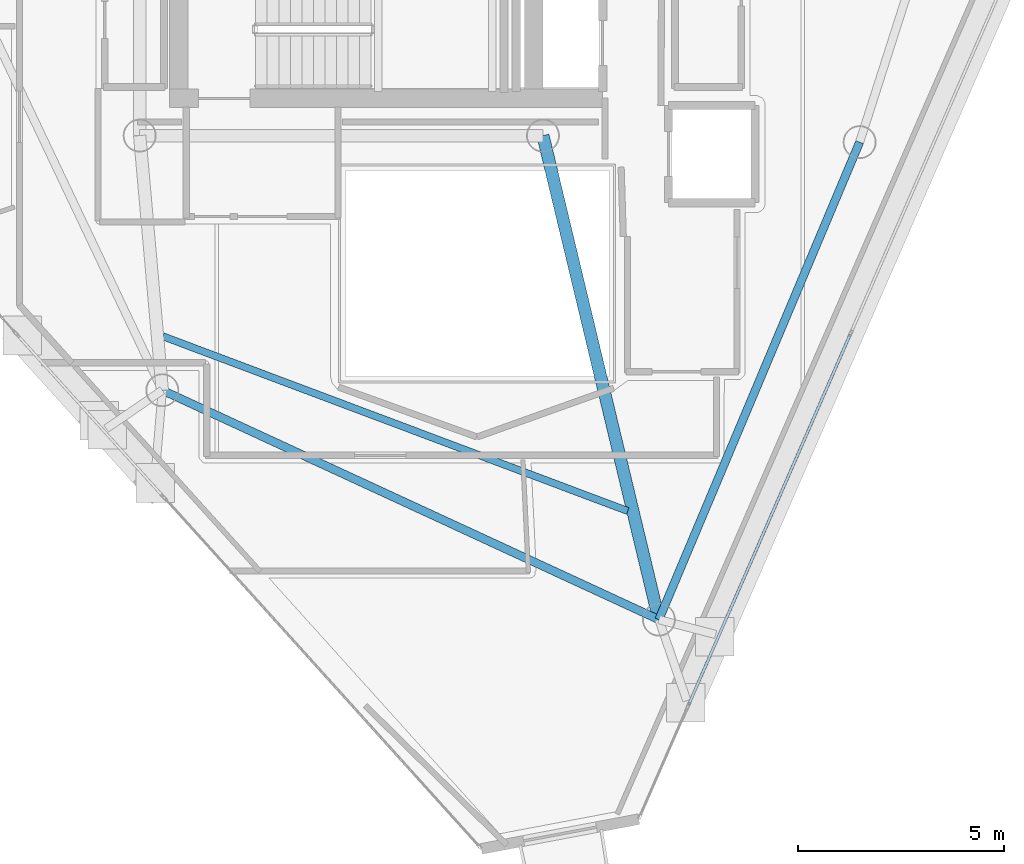
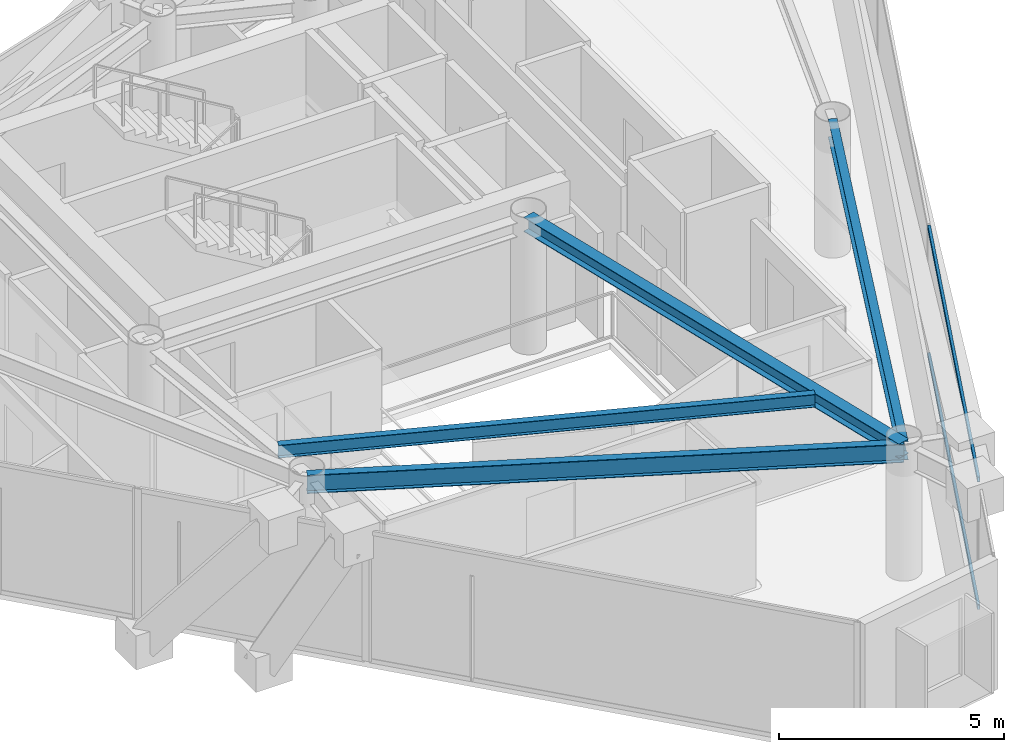
# One storey, part 4 of 19: 4 beams, 2 members, 1 element without a shape of its own.
"""IFC4 building model written with IfcOpenShell, lengths in metres."""

from ifc_helpers import new_model, si_unit, direction, frame, origin, origin_2d, place, context, subcontext, project, spatial, hollow_rectangle, i_section, extrude, material, layer, layer_set, material_profile, profile_set, type_object, element, aggregate, save


model = new_model("IFC4")

# Units and contexts
model_context = context("Model", 3, precision=1e-05, world=origin(), true_north=direction((0.0, 1.0)))
body_context = subcontext(model_context, "Body", "Model", "MODEL_VIEW")
ifc_project = project(units=[si_unit("LENGTHUNIT", "METRE"), si_unit("AREAUNIT", "SQUARE_METRE"), si_unit("VOLUMEUNIT", "CUBIC_METRE"), si_unit("PLANEANGLEUNIT", "RADIAN"), si_unit("MASSUNIT", "GRAM", prefix="KILO")], contexts=[model_context])

# Site, building, storey
site_placement = place(None, origin())
site = spatial("IfcSite", under=ifc_project, at=site_placement, CompositionType="ELEMENT")
building_placement = place(site_placement, origin())
building = spatial("IfcBuilding", under=site, at=building_placement, Name="Qianvela Tower", CompositionType="ELEMENT")
storey_placement = place(building_placement, frame((0.0, 0.0, 329.60009765625)))
storey = spatial("IfcBuildingStorey", under=building, at=storey_placement, Name="L85", CompositionType="ELEMENT", Elevation=329.60009765625)

# Beams
ifc_material_1 = material(Name="Steel Q355B", Category="steel")
ifc_material_profile_1 = material_profile(ifc_material_1, i_section(OverallWidth=0.300048828125, OverallDepth=0.389892578125, WebThickness=0.010009765625, FlangeThickness=0.01611328125, at=origin_2d()), Name="HM390x300x10x16")
ifc_profile_set_1 = profile_set([ifc_material_profile_1], Name="Steel Q355B")
beam_type_1 = type_object("IfcBeamType", Name="BM-HM390-COLL", PredefinedType="BEAM", material=ifc_profile_set_1)
beam_1_placement = place(storey_placement, frame((38.39990234375, 23.85009765625, 3.322998046875), z_axis=(0.232920204523, -0.97249585003, 0.0), x_axis=(0.97249585003, 0.232920204523, 0.0)))
element("IfcBeam", 1, at=beam_1_placement, inside=storey, type_object=beam_type_1, Name="L85 Radial Primary Floor Girder 5", PredefinedType="BEAM", context=body_context, shape_type="SweptSolid", body=[
    extrude(i_section(OverallWidth=0.300048828125, OverallDepth=0.389892578125, WebThickness=0.010009765625, FlangeThickness=0.01611328125, at=origin_2d()), origin(), (0.0, 0.0, 1.0), 12.094970703125),
])
ifc_material_2 = material(Name="Steel Q355B", Category="steel")
ifc_material_profile_2 = material_profile(ifc_material_2, i_section(OverallWidth=0.175048828125, OverallDepth=0.35009765625, WebThickness=0.007080078125, FlangeThickness=0.010986328125, at=origin_2d()), Name="HN350x175x7x11")
ifc_profile_set_2 = profile_set([ifc_material_profile_2], Name="Steel Q355B")
beam_type_2 = type_object("IfcBeamType", Name="BM-HN350-JOIST", PredefinedType="JOIST", material=ifc_profile_set_2)
beam_2_placement = place(storey_placement, frame((29.165771484375, 18.971923828125, 3.343017578125), z_axis=(0.936076156518, -0.351797426366, 0.0), x_axis=(0.351797426366, 0.936076156518, 0.0)))
element("IfcBeam", 2, at=beam_2_placement, inside=storey, type_object=beam_type_2, Name="L85 Secondary Composite Floor Joist 4.3", PredefinedType="JOIST", context=body_context, shape_type="SweptSolid", body=[
    extrude(i_section(OverallWidth=0.175048828125, OverallDepth=0.35009765625, WebThickness=0.007080078125, FlangeThickness=0.010986328125, at=origin_2d()), origin(), (0.0, 0.0, 1.0), 12.066162109375),
])
ifc_material_3 = material(Name="Steel Q355B", Category="steel")
ifc_material_profile_3 = material_profile(ifc_material_3, i_section(OverallWidth=0.199951171875, OverallDepth=0.5, WebThickness=0.010009765625, FlangeThickness=0.01611328125, at=origin_2d()), Name="HN500x200x10x16")
ifc_profile_set_3 = profile_set([ifc_material_profile_3], Name="Steel Q355B")
beam_type_3 = type_object("IfcBeamType", Name="BM-HN500-GIRD", PredefinedType="BEAM", material=ifc_profile_set_3)
beam_3_placement = place(storey_placement, frame((29.14990234375, 17.662109375, 3.267822265625), z_axis=(0.907822793776, -0.419353997359, 0.0), x_axis=(0.419353997359, 0.907822793776, 0.0)))
element("IfcBeam", 3, at=beam_3_placement, inside=storey, type_object=beam_type_3, Name="L85 Perimeter Ring Spandrel Girder 4", PredefinedType="BEAM", context=body_context, shape_type="SweptSolid", body=[
    extrude(i_section(OverallWidth=0.199951171875, OverallDepth=0.5, WebThickness=0.010009765625, FlangeThickness=0.01611328125, at=origin_2d()), origin(), (0.0, 0.0, 1.0), 13.29248046875),
])
beam_4_placement = place(storey_placement, frame((41.217041015625, 12.087890625, 3.267822265625), z_axis=(0.387547057173, 0.921849921883, 0.0), x_axis=(-0.921849921883, 0.387547057173, 0.0)))
element("IfcBeam", 4, at=beam_4_placement, inside=storey, type_object=beam_type_3, Name="L85 Perimeter Ring Spandrel Girder 5", PredefinedType="BEAM", context=body_context, shape_type="SweptSolid", body=[
    extrude(i_section(OverallWidth=0.199951171875, OverallDepth=0.5, WebThickness=0.010009765625, FlangeThickness=0.01611328125, at=origin_2d()), origin(), (0.0, 0.0, 1.0), 12.586669921875),
])

# Curtain wall, members
ifc_material_4 = material(Name="Anodised Architectural Aluminium and Insulated Spandrel Panel", Category="aluminium")
ifc_layer = layer(ifc_material_4, 0.179931640625)
ifc_layer_set = layer_set([ifc_layer], Name="Anodised Architectural Aluminium and Insulated Spandrel Panel")
curtain_wall_type = type_object("IfcCurtainWallType", Name="CW-BRACEBAY", PredefinedType="USERDEFINED", material=ifc_layer_set)
curtain_wall_placement = place(storey_placement, origin())
curtain_wall = element("IfcCurtainWall", 5, at=curtain_wall_placement, inside=storey, type_object=curtain_wall_type, Name="L85 CW-BRACEBAY Curtain Wall 06B", ObjectType="CURTAIN_WALL_SYSTEM", PredefinedType="USERDEFINED")
ifc_material_5 = material(Name="Anodised Architectural Aluminium 6063-T6", Category="aluminium")
ifc_material_profile_4 = material_profile(ifc_material_5, hollow_rectangle(XDim=0.06494140625, YDim=0.1298828125, WallThickness=0.00439453125, at=origin_2d()), Name="ALU-TRAN-65x130")
ifc_profile_set_4 = profile_set([ifc_material_profile_4], Name="Anodised Architectural Aluminium 6063-T6")
member_type = type_object("IfcMemberType", Name="CW-BRACEBAY-TRAN", PredefinedType="USERDEFINED", material=ifc_profile_set_4)
member_1_placement = place(storey_placement, frame((41.944580078125, 10.029296875, 0.032470703125), z_axis=(0.399803750459, 0.916600764302, 0.0), x_axis=(-0.916600764302, 0.399803750459, 0.0)))
member_1 = element("IfcMember", 6, at=member_1_placement, type_object=member_type, Name="CW-9 transom 1.1", ObjectType="TRANSOM", PredefinedType="USERDEFINED", context=body_context, shape_type="SweptSolid", body=[
    extrude(hollow_rectangle(XDim=0.06494140625, YDim=0.1298828125, WallThickness=0.00439453125, at=origin_2d()), origin(), (0.0, 0.0, 1.0), 9.805908203125),
])
member_2_placement = place(storey_placement, frame((41.944580078125, 10.029296875, 3.4873046875), z_axis=(0.399803750459, 0.916600764302, 0.0), x_axis=(-0.916600764302, 0.399803750459, 0.0)))
member_2 = element("IfcMember", 7, at=member_2_placement, type_object=member_type, Name="CW-9 transom 1.2", ObjectType="TRANSOM", PredefinedType="USERDEFINED", context=body_context, shape_type="SweptSolid", body=[
    extrude(hollow_rectangle(XDim=0.06494140625, YDim=0.1298828125, WallThickness=0.00439453125, at=origin_2d()), origin(), (0.0, 0.0, 1.0), 9.805908203125),
])
aggregate(curtain_wall, [member_1, member_2])

save(model, "model.ifc")
